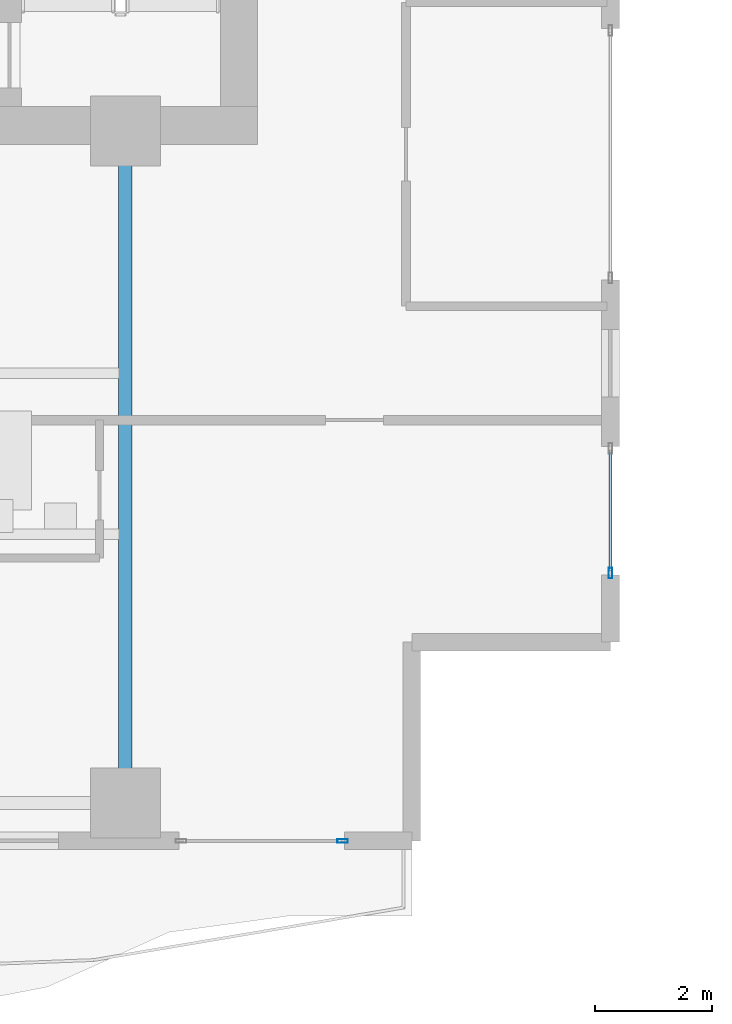
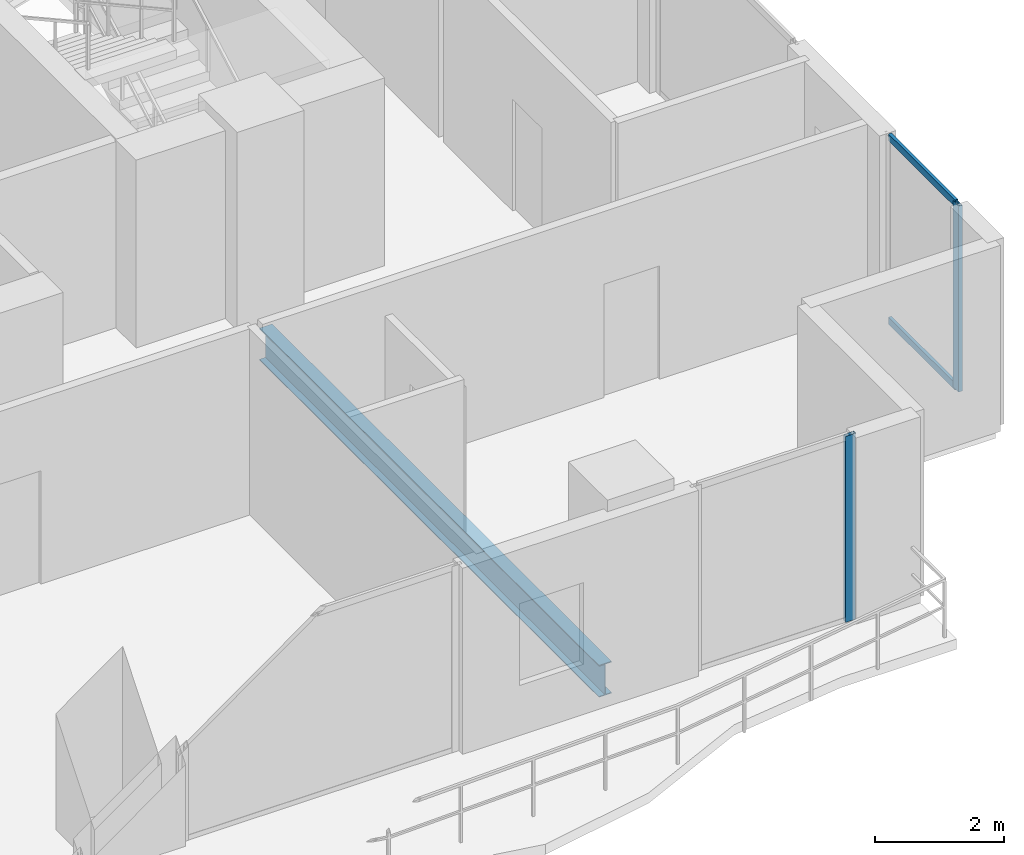
# One storey, part 11 of 33: 4 members, 1 beam, 2 elements without a shape of their own.
"""IFC4 building model written with IfcOpenShell, lengths in metres."""

from ifc_helpers import new_model, si_unit, direction, frame, origin, origin_2d, place, context, subcontext, project, spatial, hollow_rectangle, i_section, extrude, material, layer, layer_set, material_profile, profile_set, type_object, element, aggregate, save


model = new_model("IFC4")

# Units and contexts
model_context = context("Model", 3, precision=1e-05, world=origin(), true_north=direction((0.0, 1.0)))
body_context = subcontext(model_context, "Body", "Model", "MODEL_VIEW")
ifc_project = project(units=[si_unit("LENGTHUNIT", "METRE"), si_unit("AREAUNIT", "SQUARE_METRE"), si_unit("VOLUMEUNIT", "CUBIC_METRE"), si_unit("PLANEANGLEUNIT", "RADIAN"), si_unit("MASSUNIT", "GRAM", prefix="KILO")], contexts=[model_context])

# Site, building, storey
site_placement = place(None, origin())
site = spatial("IfcSite", under=ifc_project, at=site_placement, CompositionType="ELEMENT")
building_placement = place(site_placement, origin())
building = spatial("IfcBuilding", under=site, at=building_placement, Name="Zuhayl Quay Hotel", CompositionType="ELEMENT")
storey_placement = place(building_placement, frame((0.0, 0.0, 211.14990234375)))
storey = spatial("IfcBuildingStorey", under=building, at=storey_placement, Name="L53", CompositionType="ELEMENT", Elevation=211.14990234375)

# Beam
ifc_material_1 = material(Name="Steel ASTM A992 Grade 50", Category="steel")
ifc_material_profile_1 = material_profile(ifc_material_1, i_section(OverallWidth=0.22802734375, OverallDepth=0.60693359375, WebThickness=0.01123046875, FlangeThickness=0.017333984375, at=origin_2d()), Name="W24X76")
ifc_profile_set_1 = profile_set([ifc_material_profile_1], Name="Steel ASTM A992 Grade 50")
beam_type = type_object("IfcBeamType", Name="BM_B3_W24X76", PredefinedType="BEAM", material=ifc_profile_set_1)
beam_placement = place(storey_placement, frame((13.800048828125, -6.449951171875, -0.5234375), z_axis=(0.0, 1.0, 0.0), x_axis=(-1.0, 0.0, 0.0)))
element("IfcBeam", 1, at=beam_placement, inside=storey, type_object=beam_type, Name="L53 Floor Beam FG_S_L53_4", PredefinedType="BEAM", context=body_context, shape_type="SweptSolid", body=[
    extrude(i_section(OverallWidth=0.22802734375, OverallDepth=0.60693359375, WebThickness=0.01123046875, FlangeThickness=0.017333984375, at=origin_2d()), origin(), (0.0, 0.0, 1.0), 10.550048828125),
])

# Curtain wall, member
ifc_material_2 = material(Name="Anodised Aluminium 6063-T6", Category="aluminium")
ifc_layer = layer(ifc_material_2, 0.175048828125, Name="Anodised Aluminium 6063-T6", Category="aluminium")
ifc_layer_set = layer_set([ifc_layer], Name="Anodised Aluminium 6063-T6")
curtain_wall_type = type_object("IfcCurtainWallType", Name="CW_SYS_Z3", PredefinedType="USERDEFINED", material=ifc_layer_set)
curtain_wall_1_placement = place(storey_placement, origin())
curtain_wall_1 = element("IfcCurtainWall", 2, at=curtain_wall_1_placement, inside=storey, type_object=curtain_wall_type, Name="L53 Curtain Wall ENV_L53_E14_CW2", ObjectType="UNITISED CURTAIN WALL", PredefinedType="USERDEFINED")
ifc_material_3 = material(Name="Black-anodised aluminium 6063-T6", Category="aluminium")
ifc_material_profile_2 = material_profile(ifc_material_3, hollow_rectangle(XDim=0.06494140625, YDim=0.179931640625, WallThickness=0.00341796875, at=origin_2d()), Name="ALU180X65")
ifc_profile_set_2 = profile_set([ifc_material_profile_2], Name="Black-anodised aluminium 6063-T6")
member_type_1 = type_object("IfcMemberType", Name="MB_CW_MUL_180", PredefinedType="MULLION", material=ifc_profile_set_2)
member_1_placement = place(storey_placement, frame((22.10009765625, -3.017578125, 0.0), z_axis=(0.0, 0.0, 1.0), x_axis=(1.0, 0.0, 0.0)))
member_1 = element("IfcMember", 3, at=member_1_placement, type_object=member_type_1, Name="CW-Z3 mullion 2", PredefinedType="MULLION", context=body_context, shape_type="SweptSolid", body=[
    extrude(hollow_rectangle(XDim=0.06494140625, YDim=0.179931640625, WallThickness=0.00341796875, at=origin_2d()), origin(), (0.0, 0.0, 1.0), 3.530029296875),
])

curtain_wall_2_placement = place(storey_placement, origin())
curtain_wall_2 = element("IfcCurtainWall", 4, at=curtain_wall_2_placement, inside=storey, type_object=curtain_wall_type, Name="L53 Curtain Wall ENV_L53_S_CW1", ObjectType="UNITISED CURTAIN WALL", PredefinedType="USERDEFINED")
member_2_placement = place(storey_placement, frame((17.517578125, -7.60009765625, 0.0), z_axis=(0.0, 0.0, 1.0), x_axis=(0.0, -1.0, 0.0)))
member_2 = element("IfcMember", 5, at=member_2_placement, type_object=member_type_1, Name="CW-Z3 mullion 1", PredefinedType="MULLION", context=body_context, shape_type="SweptSolid", body=[
    extrude(hollow_rectangle(XDim=0.06494140625, YDim=0.179931640625, WallThickness=0.00341796875, at=origin_2d()), origin(), (0.0, 0.0, 1.0), 3.530029296875),
])
aggregate(curtain_wall_2, [member_2])

# Member
ifc_material_profile_3 = material_profile(ifc_material_3, hollow_rectangle(XDim=0.054931640625, YDim=0.1298828125, WallThickness=0.0029296875, at=origin_2d()), Name="ALU130X55")
ifc_profile_set_3 = profile_set([ifc_material_profile_3], Name="Black-anodised aluminium 6063-T6")
member_type_2 = type_object("IfcMemberType", Name="MB_CW_TRN_130", PredefinedType="USERDEFINED", material=ifc_profile_set_3)
member_3_placement = place(storey_placement, frame((22.10009765625, -0.9150390625, 0.027587890625), z_axis=(0.0, -1.0, 0.0), x_axis=(1.0, 0.0, 0.0)))
member_3 = element("IfcMember", 6, at=member_3_placement, type_object=member_type_2, Name="CW-Z3 transom 1.1", ObjectType="TRANSOM", PredefinedType="USERDEFINED", context=body_context, shape_type="SweptSolid", body=[
    extrude(hollow_rectangle(XDim=0.054931640625, YDim=0.1298828125, WallThickness=0.0029296875, at=origin_2d()), origin(), (0.0, 0.0, 1.0), 2.070068359375),
])

member_4_placement = place(storey_placement, frame((22.10009765625, -0.9150390625, 3.502685546875), z_axis=(0.0, -1.0, 0.0), x_axis=(1.0, 0.0, 0.0)))
member_4 = element("IfcMember", 7, at=member_4_placement, type_object=member_type_2, Name="CW-Z3 transom 1.2", ObjectType="TRANSOM", PredefinedType="USERDEFINED", context=body_context, shape_type="SweptSolid", body=[
    extrude(hollow_rectangle(XDim=0.054931640625, YDim=0.1298828125, WallThickness=0.0029296875, at=origin_2d()), origin(), (0.0, 0.0, 1.0), 2.070068359375),
])

aggregate(curtain_wall_1, [member_1, member_3, member_4])

save(model, "model.ifc")
